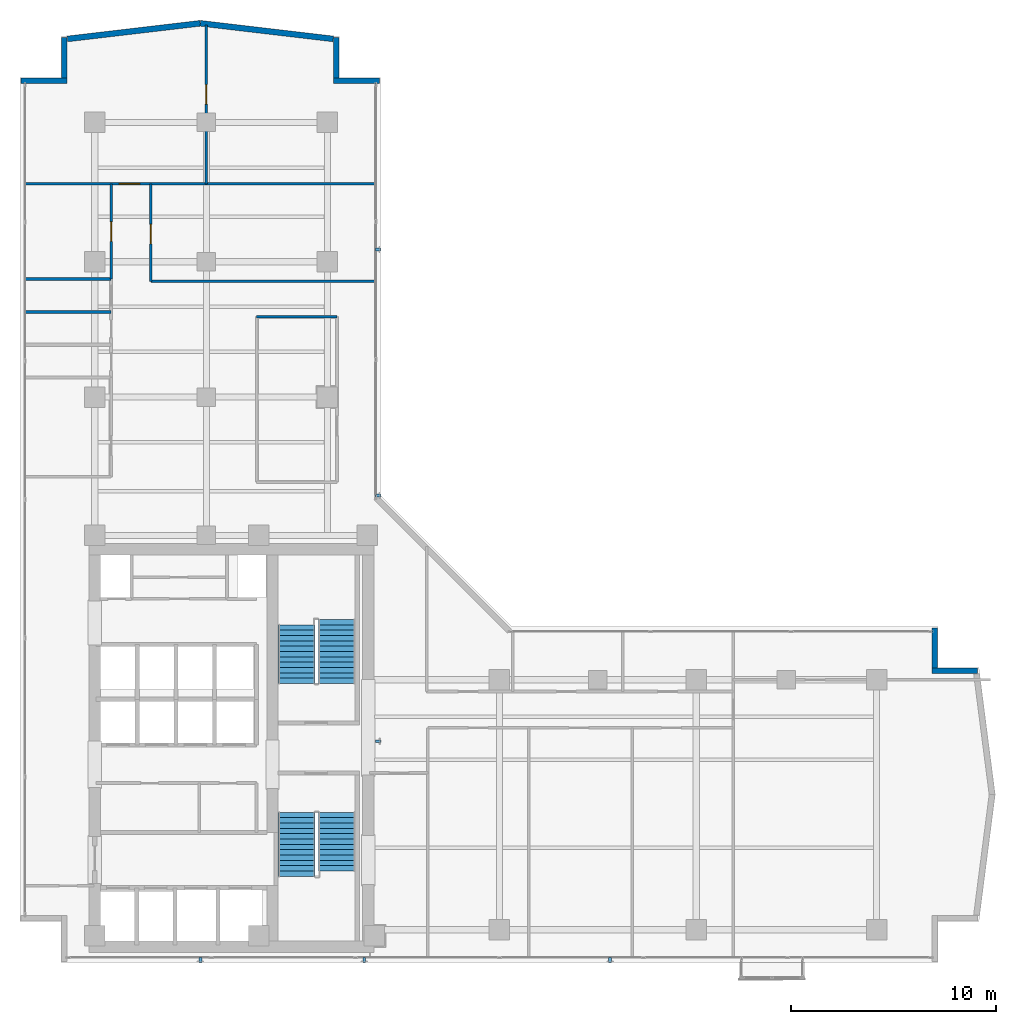
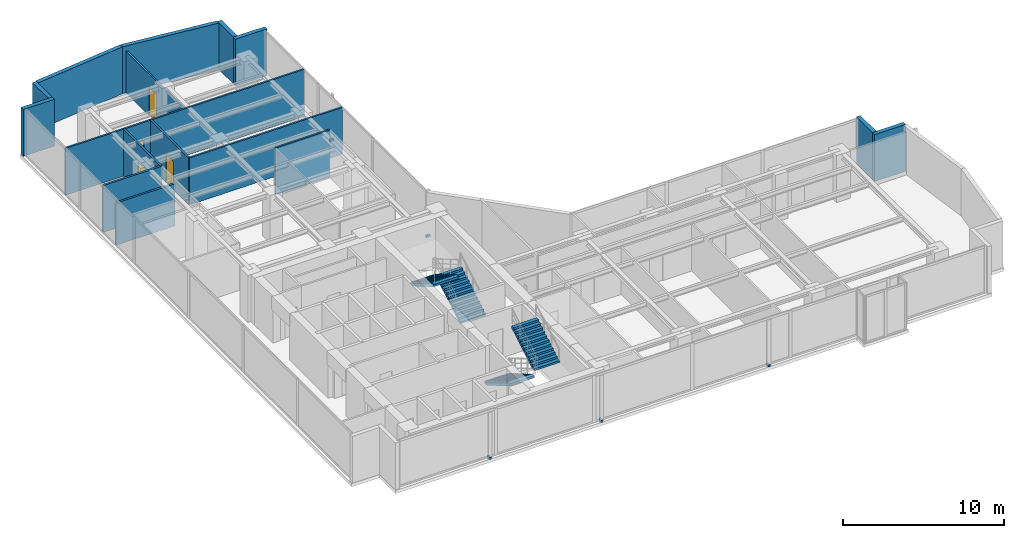
# One storey, part 18 of 23: 16 walls, 6 discrete accessories, 4 doors, 4 stair flights, 4 openings, 2 elements without a shape of their own.
"""IFC4 building model written with IfcOpenShell, lengths in metres."""

from ifc_helpers import new_model, si_unit, direction, frame, frame_2d, origin, origin_with_axes, origin_2d, place, context, subcontext, project, spatial, polyline, rectangle, outline, extrude, source, transform, mapped, material, layer, layer_set, type_object, element, fill, aggregate, save


model = new_model("IFC4")

# Units and contexts
model_context = context("Model", 3, precision=1e-05, world=origin(), true_north=direction((0.0, 1.0)))
body_context = subcontext(model_context, "Body", "Model", "MODEL_VIEW")
ifc_project = project(units=[si_unit("LENGTHUNIT", "METRE"), si_unit("AREAUNIT", "SQUARE_METRE"), si_unit("VOLUMEUNIT", "CUBIC_METRE"), si_unit("PLANEANGLEUNIT", "RADIAN"), si_unit("MASSUNIT", "GRAM", prefix="KILO")], contexts=[model_context])

# Site, building, storey
site_placement = place(None, origin())
site = spatial("IfcSite", under=ifc_project, at=site_placement, CompositionType="ELEMENT")
building_placement = place(site_placement, origin())
building = spatial("IfcBuilding", under=site, at=building_placement, Name="Kolvaren Waterfront Exchange", CompositionType="ELEMENT")
storey_placement = place(building_placement, frame((0.0, 0.0, 212.10009765625)))
storey = spatial("IfcBuildingStorey", under=building, at=storey_placement, Name="L54", CompositionType="ELEMENT", Elevation=212.10009765625)

# Walls
ifc_material_1 = material(Name="Precast concrete C40/50", Category="concrete")
ifc_layer_1 = layer(ifc_material_1, 0.280029296875, Name="Precast concrete C40/50")
ifc_layer_set_1 = layer_set([ifc_layer_1], Name="Precast concrete C40/50")
wall_type_1 = type_object("IfcWallType", Name="ARC-EXT-TERR-280", PredefinedType="SOLIDWALL", material=ifc_layer_set_1)
wall_1_placement = place(storey_placement, frame((48.43994140625, 17.965087890625, 0.0), z_axis=(0.0, 0.0, 1.0), x_axis=(0.0, 1.0, 0.0)))
element("IfcWall", 1, at=wall_1_placement, inside=storey, type_object=wall_type_1, Name="L54 notched corner spandrel pier ENE-A", PredefinedType="SOLIDWALL", context=body_context, shape_type="SweptSolid", body=[
    extrude(rectangle(XDim=1.974853515625, YDim=0.280029296875, at=frame_2d((0.9873046875, 0.0))), origin(), (0.0, 0.0, 1.0), 3.559814453125),
])
for number, where, z_axis, x_axis, name in (
    (2, (48.300048828125, 17.840087890625, 0.0), (0.0, 0.0, 1.0), (1.0, 0.0, 0.0), "L54 notched corner spandrel pier ENE-B"),
    (3, (19.10009765625, 46.639892578125, 0.0), (0.0, 0.0, 1.0), (1.0, 0.0, 0.0), "L54 notched corner spandrel pier NNE-A"),
):
    element("IfcWall", number, at=place(storey_placement, frame(where, z_axis=z_axis, x_axis=x_axis)), inside=storey, type_object=wall_type_1, Name=name, PredefinedType="SOLIDWALL", context=body_context, shape_type="SweptSolid", body=[
        extrude(rectangle(XDim=2.239990234375, YDim=0.280029296875, at=frame_2d((1.1201171875, 0.0))), origin(), (0.0, 0.0, 1.0), 3.559814453125),
    ])
wall_2_placement = place(storey_placement, frame((19.239990234375, 46.780029296875, 0.0), z_axis=(0.0, 0.0, 1.0), x_axis=(0.0, 1.0, 0.0)))
element("IfcWall", 4, at=wall_2_placement, inside=storey, type_object=wall_type_1, Name="L54 notched corner spandrel pier NNE-B", PredefinedType="SOLIDWALL", context=body_context, shape_type="SweptSolid", body=[
    extrude(rectangle(XDim=1.9599609375, YDim=0.280029296875, at=frame_2d((0.97998046875, 0.0))), origin(), (0.0, 0.0, 1.0), 3.559814453125),
])
wall_3_placement = place(storey_placement, frame((3.860107421875, 46.639892578125, 0.0), z_axis=(0.0, 0.0, 1.0), x_axis=(1.0, 0.0, 0.0)))
element("IfcWall", 5, at=wall_3_placement, inside=storey, type_object=wall_type_1, Name="L54 notched corner spandrel pier NW-A", PredefinedType="SOLIDWALL", context=body_context, shape_type="SweptSolid", body=[
    extrude(rectangle(XDim=2.239990234375, YDim=0.280029296875, at=frame_2d((1.1201171875, 0.0))), origin(), (0.0, 0.0, 1.0), 3.559814453125),
])
wall_4_placement = place(storey_placement, frame((5.9599609375, 46.780029296875, 0.0), z_axis=(0.0, 0.0, 1.0), x_axis=(0.0, 1.0, 0.0)))
element("IfcWall", 6, at=wall_4_placement, inside=storey, type_object=wall_type_1, Name="L54 notched corner spandrel pier NW-B", PredefinedType="SOLIDWALL", context=body_context, shape_type="SweptSolid", body=[
    extrude(rectangle(XDim=1.9599609375, YDim=0.280029296875, at=frame_2d((0.97998046875, 0.0))), origin(), (0.0, 0.0, 1.0), 3.559814453125),
])
for number, where, z_axis, x_axis, name in (
    (7, (19.08349609375, 48.676025390625, 0.0), (0.0, 0.0, 1.0), (-0.993149072278, 0.11685426921, 0.0), "L54 north prow faceted facade wall 1"),
    (8, (12.598876953125, 49.438720703125, 0.0), (0.0, 0.0, 1.0), (-0.993149072278, -0.11685426921, 0.0), "L54 north prow faceted facade wall 2"),
):
    element("IfcWall", number, at=place(storey_placement, frame(where, z_axis=z_axis, x_axis=x_axis)), inside=storey, type_object=wall_type_1, Name=name, PredefinedType="SOLIDWALL", context=body_context, shape_type="SweptSolid", body=[
        extrude(rectangle(XDim=6.52685546875, YDim=0.280029296875, at=frame_2d((3.263427734375, 0.0))), origin(), (0.0, 0.0, 1.0), 3.559814453125),
    ])
ifc_material_2 = material(Name="Acoustic gypsum steel stud", Category="steel")
ifc_layer_2 = layer(ifc_material_2, 0.125, Name="Acoustic gypsum steel stud")
ifc_layer_set_2 = layer_set([ifc_layer_2], Name="Acoustic gypsum steel stud")
wall_type_2 = type_object("IfcWallType", Name="ARC-PART-125", PredefinedType="PARTITIONING", material=ifc_layer_set_2)
wall_5_placement = place(storey_placement, frame((15.35009765625, 35.1201171875, 0.0), z_axis=(0.0, 0.0, 1.0), x_axis=(1.0, 0.0, 0.0)))
element("IfcWall", 9, at=wall_5_placement, inside=storey, type_object=wall_type_2, Name="L54 interior wall PW-L54-ISL-N", PredefinedType="PARTITIONING", context=body_context, shape_type="SweptSolid", body=[
    extrude(rectangle(XDim=3.919921875, YDim=0.125, at=frame_2d((1.9599609375, 0.0))), origin(), (0.0, 0.0, 1.0), 3.559814453125),
])

# Wall, opening, door
wall_6_placement = place(storey_placement, frame((8.25, 36.949951171875, 0.0), z_axis=(0.0, 0.0, 1.0), x_axis=(0.0, 1.0, 0.0)))
wall_6 = element("IfcWall", 10, at=wall_6_placement, inside=storey, type_object=wall_type_2, Name="L54 interior wall PW-L54-NW-CORR", PredefinedType="PARTITIONING", context=body_context, shape_type="SweptSolid", body=[
    extrude(rectangle(XDim=4.650146484375, YDim=0.125, at=frame_2d((2.3251953125, 0.0))), origin(), (0.0, 0.0, 1.0), 3.559814453125),
])
opening_1_placement = place(wall_6_placement, frame((1.85009765625, 0.0, 0.0)))
opening_1 = element("IfcOpeningElement", 11, at=opening_1_placement, cuts=wall_6, Name="Opening D02", PredefinedType="OPENING", context=body_context, shape_type="SweptSolid", body=[
    extrude(rectangle(XDim=0.949951171875, YDim=2.14990234375, at=frame_2d((0.47509765625, 1.074951171875))), frame((0.0, 0.072509765625, 0.0), z_axis=(0.0, -1.0, 0.0), x_axis=(1.0, 0.0, 0.0)), (0.0, 0.0, 1.0), 0.14501953125),
])
ifc_material_3 = material(Name="Oak veneer acoustic timber", Category="wood")
door_type_1 = type_object("IfcDoorType", Name="ARC-DR-950", OperationType="NOTDEFINED", PredefinedType="DOOR", material=ifc_material_3)
door_1_placement = place(opening_1_placement, origin())
door_1 = element("IfcDoor", 12, at=door_1_placement, inside=storey, type_object=door_type_1, Name="L54 door DR-L54-NW-D-1 (D02)", OperationType="SINGLE_SWING_LEFT", OverallHeight=2.14990234375, OverallWidth=0.949951171875, PredefinedType="DOOR", context=body_context, shape_type="SweptSolid", body=[
    extrude(rectangle(XDim=0.949951171875, YDim=2.14990234375, at=frame_2d((0.47509765625, 1.074951171875))), frame((0.0, 0.02490234375, 0.0), z_axis=(0.0, -1.0, 0.0), x_axis=(1.0, 0.0, 0.0)), (0.0, 0.0, 1.0), 0.050048828125),
])
fill(opening_1, door_1)

wall_7_placement = place(storey_placement, frame((4.0400390625, 41.60009765625, 0.0), z_axis=(0.0, 0.0, 1.0), x_axis=(1.0, 0.0, 0.0)))
wall_7 = element("IfcWall", 13, at=wall_7_placement, inside=storey, type_object=wall_type_2, Name="L54 interior wall PW-L54-NTIP-S", PredefinedType="PARTITIONING", context=body_context, shape_type="SweptSolid", body=[
    extrude(rectangle(XDim=17.119873046875, YDim=0.125, at=frame_2d((8.56005859375, 0.0))), origin(), (0.0, 0.0, 1.0), 3.559814453125),
])
opening_2_placement = place(wall_7_placement, frame((4.610107421875, 0.0, 0.0)))
opening_2 = element("IfcOpeningElement", 14, at=opening_2_placement, cuts=wall_7, Name="Opening D03", PredefinedType="OPENING", context=body_context, shape_type="SweptSolid", body=[
    extrude(rectangle(XDim=1.0, YDim=2.199951171875, at=frame_2d((0.5, 1.10009765625))), frame((0.0, 0.072509765625, 0.0), z_axis=(0.0, -1.0, 0.0), x_axis=(1.0, 0.0, 0.0)), (0.0, 0.0, 1.0), 0.14501953125),
])
ifc_material_4 = material(Name="Oak veneer accessible timber", Category="wood")
door_type_2 = type_object("IfcDoorType", Name="ARC-DR-1000", OperationType="NOTDEFINED", PredefinedType="DOOR", material=ifc_material_4)
door_2_placement = place(opening_2_placement, origin())
door_2 = element("IfcDoor", 15, at=door_2_placement, inside=storey, type_object=door_type_2, Name="L54 door DR-L54-NTIPW-D (D03)", OperationType="SINGLE_SWING_RIGHT", OverallHeight=2.199951171875, OverallWidth=1.0, PredefinedType="DOOR", context=body_context, shape_type="SweptSolid", body=[
    extrude(rectangle(XDim=1.0, YDim=2.199951171875, at=frame_2d((0.5, 1.10009765625))), frame((0.0, 0.02490234375, 0.0), z_axis=(0.0, -1.0, 0.0), x_axis=(1.0, 0.0, 0.0)), (0.0, 0.0, 1.0), 0.050048828125),
])
fill(opening_2, door_2)

wall_8_placement = place(storey_placement, frame((12.89990234375, 41.60009765625, 0.0), z_axis=(0.0, 0.0, 1.0), x_axis=(0.0, 1.0, 0.0)))
wall_8 = element("IfcWall", 16, at=wall_8_placement, inside=storey, type_object=wall_type_2, Name="L54 interior wall PW-L54-NTIP-DIV", PredefinedType="PARTITIONING", context=body_context, shape_type="SweptSolid", body=[
    extrude(rectangle(XDim=7.760009765625, YDim=0.125, at=frame_2d((3.8798828125, 0.0))), origin(), (0.0, 0.0, 1.0), 3.159912109375),
])
opening_3_placement = place(wall_8_placement, frame((3.8935546875, 0.0, 0.0)))
opening_3 = element("IfcOpeningElement", 17, at=opening_3_placement, cuts=wall_8, Name="Opening D02", PredefinedType="OPENING", context=body_context, shape_type="SweptSolid", body=[
    extrude(rectangle(XDim=0.949951171875, YDim=2.14990234375, at=frame_2d((0.47509765625, 1.074951171875))), frame((0.0, 0.072509765625, 0.0), z_axis=(0.0, -1.0, 0.0), x_axis=(1.0, 0.0, 0.0)), (0.0, 0.0, 1.0), 0.14501953125),
])
door_3_placement = place(opening_3_placement, origin())
door_3 = element("IfcDoor", 18, at=door_3_placement, inside=storey, type_object=door_type_1, Name="L54 door DR-L54-NTIPE-D (D02)", OperationType="SINGLE_SWING_LEFT", OverallHeight=2.14990234375, OverallWidth=0.949951171875, PredefinedType="DOOR", context=body_context, shape_type="SweptSolid", body=[
    extrude(rectangle(XDim=0.949951171875, YDim=2.14990234375, at=frame_2d((0.47509765625, 1.074951171875))), frame((0.0, 0.02490234375, 0.0), z_axis=(0.0, -1.0, 0.0), x_axis=(1.0, 0.0, 0.0)), (0.0, 0.0, 1.0), 0.050048828125),
])
fill(opening_3, door_3)

# Wall
wall_9_placement = place(storey_placement, frame((10.18994140625, 36.85009765625, 0.0), z_axis=(0.0, 0.0, 1.0), x_axis=(1.0, 0.0, 0.0)))
element("IfcWall", 19, at=wall_9_placement, inside=storey, type_object=wall_type_2, Name="L54 interior wall PW-L54-NE-S0", PredefinedType="PARTITIONING", context=body_context, shape_type="SweptSolid", body=[
    extrude(rectangle(XDim=10.969970703125, YDim=0.125, at=frame_2d((5.48486328125, 0.0))), origin(), (0.0, 0.0, 1.0), 3.559814453125),
])

# Wall, opening, door
wall_10_placement = place(storey_placement, frame((10.18994140625, 36.85009765625, 0.0), z_axis=(0.0, 0.0, 1.0), x_axis=(0.0, 1.0, 0.0)))
wall_10 = element("IfcWall", 20, at=wall_10_placement, inside=storey, type_object=wall_type_2, Name="L54 interior wall PW-L54-NE-CORR", PredefinedType="PARTITIONING", context=body_context, shape_type="SweptSolid", body=[
    extrude(rectangle(XDim=4.75, YDim=0.125, at=frame_2d((2.375, 0.0))), origin(), (0.0, 0.0, 1.0), 3.559814453125),
])
opening_4_placement = place(wall_10_placement, frame((1.82861328125, 0.0, 0.0)))
opening_4 = element("IfcOpeningElement", 21, at=opening_4_placement, cuts=wall_10, Name="Opening D02", PredefinedType="OPENING", context=body_context, shape_type="SweptSolid", body=[
    extrude(rectangle(XDim=0.949951171875, YDim=2.14990234375, at=frame_2d((0.47509765625, 1.074951171875))), frame((0.0, 0.072509765625, 0.0), z_axis=(0.0, -1.0, 0.0), x_axis=(1.0, 0.0, 0.0)), (0.0, 0.0, 1.0), 0.14501953125),
])
door_4_placement = place(opening_4_placement, origin())
door_4 = element("IfcDoor", 22, at=door_4_placement, inside=storey, type_object=door_type_1, Name="L54 door DR-L54-NE-D-1 (D02)", OperationType="SINGLE_SWING_RIGHT", OverallHeight=2.14990234375, OverallWidth=0.949951171875, PredefinedType="DOOR", context=body_context, shape_type="SweptSolid", body=[
    extrude(rectangle(XDim=0.949951171875, YDim=2.14990234375, at=frame_2d((0.47509765625, 1.074951171875))), frame((0.0, 0.02490234375, 0.0), z_axis=(0.0, -1.0, 0.0), x_axis=(1.0, 0.0, 0.0)), (0.0, 0.0, 1.0), 0.050048828125),
])
fill(opening_4, door_4)

# Walls
ifc_material_5 = material(Name="Moisture-resistant gypsum stud")
ifc_layer_3 = layer(ifc_material_5, 0.14990234375, Name="Moisture-resistant gypsum stud")
ifc_layer_set_3 = layer_set([ifc_layer_3], Name="Moisture-resistant gypsum stud")
wall_type_3 = type_object("IfcWallType", Name="ARC-PLUMB-150", PredefinedType="PLUMBINGWALL", material=ifc_layer_set_3)
wall_11_placement = place(storey_placement, frame((4.0400390625, 35.35009765625, 0.0), z_axis=(0.0, 0.0, 1.0), x_axis=(1.0, 0.0, 0.0)))
element("IfcWall", 23, at=wall_11_placement, inside=storey, type_object=wall_type_3, Name="L54 interior wall PW-L54-WC-2", PredefinedType="PLUMBINGWALL", context=body_context, shape_type="SweptSolid", body=[
    extrude(rectangle(XDim=4.2099609375, YDim=0.14990234375, at=frame_2d((2.10498046875, 0.0))), origin(), (0.0, 0.0, 1.0), 3.199951171875),
])
wall_12_placement = place(storey_placement, frame((4.0400390625, 36.949951171875, 0.0), z_axis=(0.0, 0.0, 1.0), x_axis=(1.0, 0.0, 0.0)))
element("IfcWall", 24, at=wall_12_placement, inside=storey, type_object=wall_type_3, Name="L54 interior wall PW-L54-WC-3", PredefinedType="PLUMBINGWALL", context=body_context, shape_type="SweptSolid", body=[
    extrude(rectangle(XDim=4.2099609375, YDim=0.14990234375, at=frame_2d((2.10498046875, 0.0))), origin(), (0.0, 0.0, 1.0), 3.559814453125),
])

# Stair, stair flights
ifc_material_6 = material(Name="Concrete C40/50", Category="concrete")
stair_type = type_object("IfcStairType", Name="ARC-STAIR-3800", PredefinedType="HALF_TURN_STAIR", material=ifc_material_6)
stair_1_placement = place(storey_placement, origin())
stair_1 = element("IfcStair", 25, at=stair_1_placement, inside=storey, type_object=stair_type, Name="L54 Smoke-proof exit stair ST1", PredefinedType="HALF_TURN_STAIR")
stair_flight_type = type_object("IfcStairFlightType", Name="ARC-FLIGHT-3800", PredefinedType="STRAIGHT", material=ifc_material_6)
stair_flight_1_placement = place(storey_placement, frame((17.300048828125, 10.929931640625, 0.0), z_axis=(0.0, 0.0, 1.0), x_axis=(0.0, -1.0, 0.0)))
stair_flight_1 = element("IfcStairFlight", 26, at=stair_flight_1_placement, type_object=stair_flight_type, Name="ST1 flight 1", NumberOfRisers=13, NumberOfTreads=12, PredefinedType="STRAIGHT", RiserHeight=0.152, TreadLength=0.26, context=body_context, shape_type="SweptSolid", body=[
    extrude(outline(polyline([(0.0, 0.0), (0.0, 0.152099609375), (0.260009765625, 0.152099609375), (0.260009765625, 0.303955078125), (0.52001953125, 0.303955078125), (0.52001953125, 0.4560546875), (0.780029296875, 0.4560546875), (0.780029296875, 0.60791015625), (1.0400390625, 0.60791015625), (1.0400390625, 0.760009765625), (1.300048828125, 0.760009765625), (1.300048828125, 0.912109375), (1.56005859375, 0.912109375), (1.56005859375, 1.06396484375), (1.820068359375, 1.06396484375), (1.820068359375, 1.216064453125), (2.080078125, 1.216064453125), (2.080078125, 1.367919921875), (2.340087890625, 1.367919921875), (2.340087890625, 1.52001953125), (2.60009765625, 1.52001953125), (2.60009765625, 1.672119140625), (2.860107421875, 1.672119140625), (2.860107421875, 1.823974609375), (3.1201171875, 1.823974609375), (3.1201171875, 1.97607421875), (3.1201171875, 1.650390625), (0.297119140625, 0.0), (0.0, 0.0)])), frame((0.0, 0.89990234375, 0.0), z_axis=(0.0, -1.0, 0.0), x_axis=(1.0, 0.0, 0.0)), (0.0, 0.0, 1.0), 1.800048828125),
])
stair_flight_2_placement = place(storey_placement, frame((19.260009765625, 8.070068359375, 1.975830078125), z_axis=(0.0, 0.0, 1.0), x_axis=(0.0, 1.0, 0.0)))
stair_flight_2 = element("IfcStairFlight", 27, at=stair_flight_2_placement, type_object=stair_flight_type, Name="ST1 flight 2", NumberOfRisers=12, NumberOfTreads=11, PredefinedType="STRAIGHT", RiserHeight=0.152, TreadLength=0.26, context=body_context, shape_type="SweptSolid", body=[
    extrude(outline(polyline([(0.0, 0.0), (0.0, 0.152099609375), (0.260009765625, 0.152099609375), (0.260009765625, 0.303955078125), (0.52001953125, 0.303955078125), (0.52001953125, 0.4560546875), (0.780029296875, 0.4560546875), (0.780029296875, 0.60791015625), (1.0400390625, 0.60791015625), (1.0400390625, 0.760009765625), (1.300048828125, 0.760009765625), (1.300048828125, 0.912109375), (1.56005859375, 0.912109375), (1.56005859375, 1.06396484375), (1.820068359375, 1.06396484375), (1.820068359375, 1.216064453125), (2.080078125, 1.216064453125), (2.080078125, 1.367919921875), (2.340087890625, 1.367919921875), (2.340087890625, 1.52001953125), (2.60009765625, 1.52001953125), (2.60009765625, 1.672119140625), (2.860107421875, 1.672119140625), (2.860107421875, 1.823974609375), (2.860107421875, 1.498291015625), (0.297119140625, 0.0), (0.0, 0.0)])), frame((0.0, 0.89990234375, 0.0), z_axis=(0.0, -1.0, 0.0), x_axis=(1.0, 0.0, 0.0)), (0.0, 0.0, 1.0), 1.800048828125),
])
aggregate(stair_1, [stair_flight_1, stair_flight_2])

stair_2_placement = place(storey_placement, origin())
stair_2 = element("IfcStair", 28, at=stair_2_placement, inside=storey, type_object=stair_type, Name="L54 Smoke-proof exit stair ST2", PredefinedType="HALF_TURN_STAIR")
stair_flight_3_placement = place(storey_placement, frame((19.260009765625, 17.219970703125, 0.0), z_axis=(0.0, 0.0, 1.0), x_axis=(0.0, 1.0, 0.0)))
stair_flight_3 = element("IfcStairFlight", 29, at=stair_flight_3_placement, type_object=stair_flight_type, Name="ST2 flight 1", NumberOfRisers=13, NumberOfTreads=12, PredefinedType="STRAIGHT", RiserHeight=0.152, TreadLength=0.26, context=body_context, shape_type="SweptSolid", body=[
    extrude(outline(polyline([(0.0, 0.0), (0.0, 0.152099609375), (0.260009765625, 0.152099609375), (0.260009765625, 0.303955078125), (0.52001953125, 0.303955078125), (0.52001953125, 0.4560546875), (0.780029296875, 0.4560546875), (0.780029296875, 0.60791015625), (1.0400390625, 0.60791015625), (1.0400390625, 0.760009765625), (1.300048828125, 0.760009765625), (1.300048828125, 0.912109375), (1.56005859375, 0.912109375), (1.56005859375, 1.06396484375), (1.820068359375, 1.06396484375), (1.820068359375, 1.216064453125), (2.080078125, 1.216064453125), (2.080078125, 1.367919921875), (2.340087890625, 1.367919921875), (2.340087890625, 1.52001953125), (2.60009765625, 1.52001953125), (2.60009765625, 1.672119140625), (2.860107421875, 1.672119140625), (2.860107421875, 1.823974609375), (3.1201171875, 1.823974609375), (3.1201171875, 1.97607421875), (3.1201171875, 1.650390625), (0.297119140625, 0.0), (0.0, 0.0)])), frame((0.0, 0.89990234375, 0.0), z_axis=(0.0, -1.0, 0.0), x_axis=(1.0, 0.0, 0.0)), (0.0, 0.0, 1.0), 1.800048828125),
])
stair_flight_4_placement = place(storey_placement, frame((17.300048828125, 20.080078125, 1.975830078125), z_axis=(0.0, 0.0, 1.0), x_axis=(0.0, -1.0, 0.0)))
stair_flight_4 = element("IfcStairFlight", 30, at=stair_flight_4_placement, type_object=stair_flight_type, Name="ST2 flight 2", NumberOfRisers=12, NumberOfTreads=11, PredefinedType="STRAIGHT", RiserHeight=0.152, TreadLength=0.26, context=body_context, shape_type="SweptSolid", body=[
    extrude(outline(polyline([(0.0, 0.0), (0.0, 0.152099609375), (0.260009765625, 0.152099609375), (0.260009765625, 0.303955078125), (0.52001953125, 0.303955078125), (0.52001953125, 0.4560546875), (0.780029296875, 0.4560546875), (0.780029296875, 0.60791015625), (1.0400390625, 0.60791015625), (1.0400390625, 0.760009765625), (1.300048828125, 0.760009765625), (1.300048828125, 0.912109375), (1.56005859375, 0.912109375), (1.56005859375, 1.06396484375), (1.820068359375, 1.06396484375), (1.820068359375, 1.216064453125), (2.080078125, 1.216064453125), (2.080078125, 1.367919921875), (2.340087890625, 1.367919921875), (2.340087890625, 1.52001953125), (2.60009765625, 1.52001953125), (2.60009765625, 1.672119140625), (2.860107421875, 1.672119140625), (2.860107421875, 1.823974609375), (2.860107421875, 1.498291015625), (0.297119140625, 0.0), (0.0, 0.0)])), frame((0.0, 0.89990234375, 0.0), z_axis=(0.0, -1.0, 0.0), x_axis=(1.0, 0.0, 0.0)), (0.0, 0.0, 1.0), 1.800048828125),
])
aggregate(stair_2, [stair_flight_3, stair_flight_4])

# Discrete accessories
ifc_material_7 = material(Name="Stainless steel 316", Category="steel")
discrete_accessory_type = type_object("IfcDiscreteAccessoryType", Name="ARC-BRK-FIN", PredefinedType="BRACKET", material=ifc_material_7)
shared_shape = source(origin_with_axes(), body_context, "Body", "SweptSolid", [
    extrude(rectangle(XDim=0.280029296875, YDim=0.139892578125, at=origin_2d()), origin(), (0.0, 0.0, 1.0), 0.159912109375),
])
for number, where, z_axis, x_axis, name in (
    (31, (12.60009765625, 3.719970703125, 0.0), (0.0, 0.0, 1.0), (0.0, -1.0, 0.0), "L54 bronze fin anchor bracket FIN-L54-S1"),
    (32, (20.60009765625, 3.719970703125, 0.0), (0.0, 0.0, 1.0), (0.0, -1.0, 0.0), "L54 bronze fin anchor bracket FIN-L54-S2"),
    (33, (32.60009765625, 3.719970703125, 0.0), (0.0, 0.0, 1.0), (0.0, -1.0, 0.0), "L54 bronze fin anchor bracket FIN-L54-S3"),
    (34, (21.280029296875, 14.39990234375, 0.0), (0.0, 0.0, 1.0), (1.0, 0.0, 0.0), "L54 bronze fin anchor bracket FIN-L54-E1"),
    (35, (21.280029296875, 26.39990234375, 0.0), (0.0, 0.0, 1.0), (1.0, 0.0, 0.0), "L54 bronze fin anchor bracket FIN-L54-E2"),
    (36, (21.280029296875, 38.39990234375, 0.0), (0.0, 0.0, 1.0), (1.0, 0.0, 0.0), "L54 bronze fin anchor bracket FIN-L54-E3"),
):
    element("IfcDiscreteAccessory", number, at=place(storey_placement, frame(where, z_axis=z_axis, x_axis=x_axis)), inside=storey, type_object=discrete_accessory_type, Name=name, PredefinedType="BRACKET", context=body_context, shape_type="MappedRepresentation", body=[
        mapped(shared_shape, transform((0.0, 0.0, 0.0), x_axis=(1.0, 0.0, 0.0), y_axis=(0.0, 1.0, 0.0), z_axis=(0.0, 0.0, 1.0), scale=1.0)),
    ])

save(model, "model.ifc")
